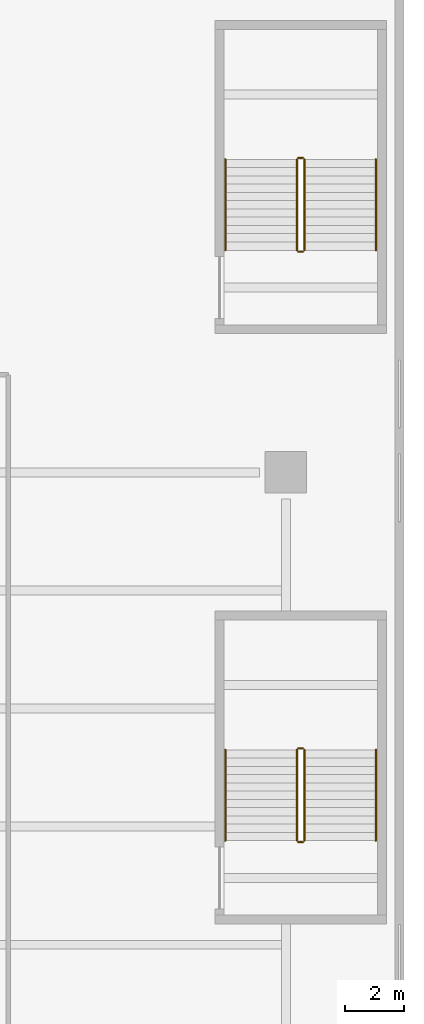
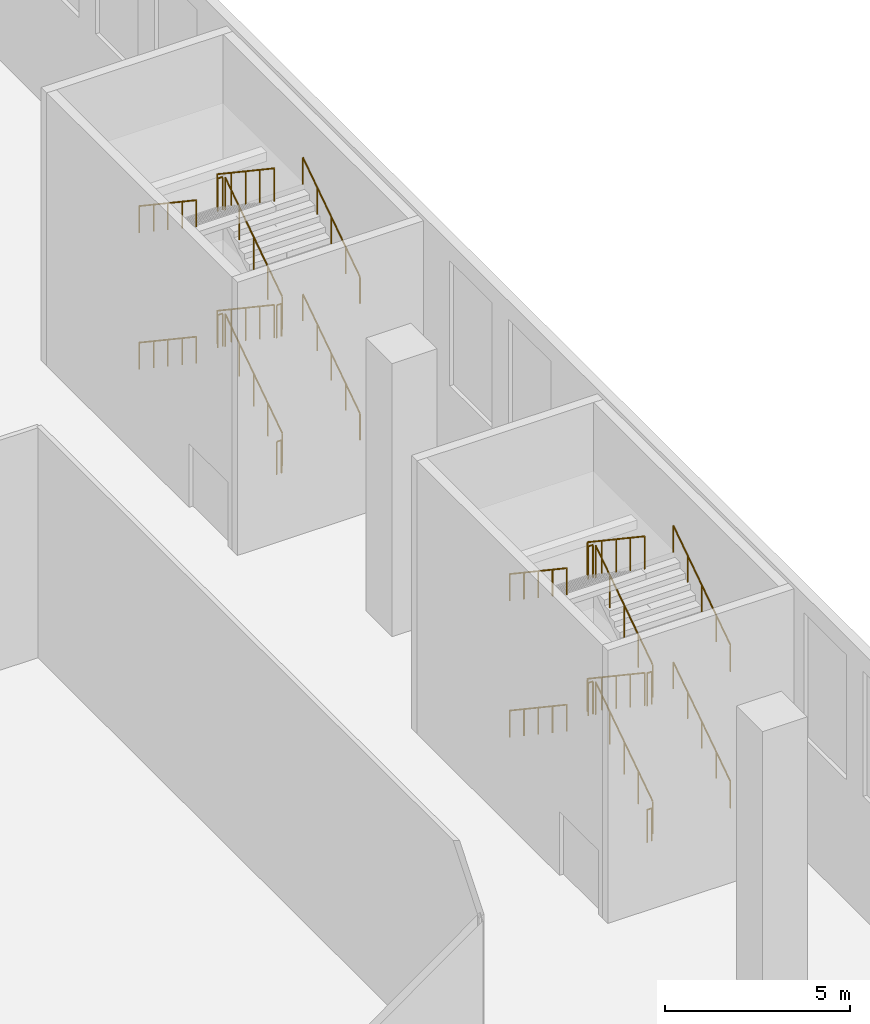
# One storey, part 24 of 27: 24 railings.
"""IFC4 building model written with IfcOpenShell, lengths in metres."""

import ifcopenshell
import ifcopenshell.guid

model = None  # the IFC model being written
_history = None  # IfcOwnerHistory: only IFC2X3 demands one
_inside = {}  # id of a spatial element -> (the spatial element, [elements in it])
_under = {}  # id of a project, library or spatial element -> (it, [spatial elements below it])
_declared = {}  # id of a project -> (the project, [libraries it declares])
_typed = {}  # id of a type object -> (the type object, [elements of that type])
_made_of = {}  # id of a material, layer set ... -> (it, [elements and type objects made of it])


def new_model(schema):
    """Start an empty IFC model of exactly this schema.

    Asked for "IFC4X3", IfcOpenShell would pick the latest addendum, in which some entities
    have other attributes; the version numbers below select the first issue.
    IFC2X3 requires an IfcOwnerHistory on every rooted entity: one is made here for all.
    """
    global model, _history
    if schema == "IFC4X3":
        model = ifcopenshell.file(schema_version=(4, 3, 0, 0))
    else:
        model = ifcopenshell.file(schema=schema)
    _inside.clear()
    _under.clear()
    _declared.clear()
    _typed.clear()
    _made_of.clear()
    _history = None
    if model.schema == "IFC2X3":
        org = make("IfcOrganization", Name="unknown")
        user = make(
            "IfcPersonAndOrganization",
            ThePerson=make("IfcPerson", FamilyName="unknown"),
            TheOrganization=org,
        )
        app = make(
            "IfcApplication",
            ApplicationDeveloper=org,
            Version="unknown",
            ApplicationFullName="unknown",
            ApplicationIdentifier="unknown",
        )
        _history = make(
            "IfcOwnerHistory",
            OwningUser=user,
            OwningApplication=app,
            ChangeAction="ADDED",
            CreationDate=0,
        )
    return model


def make(cls, **values):
    """One entity of the class cls with the attributes given. An attribute that is None is left unset."""
    return model.create_entity(
        cls, **{name: value for name, value in values.items() if value is not None}
    )


def rooted(cls, **values):
    """An entity with a GlobalId (a new one), such as an element, a storey or a relation."""
    return make(cls, GlobalId=ifcopenshell.guid.new(), OwnerHistory=_history, **values)


def si_unit(unit_type, name, prefix=None):
    """IfcSIUnit, for example si_unit("LENGTHUNIT", "METRE", prefix="MILLI")."""
    return make("IfcSIUnit", UnitType=unit_type, Prefix=prefix, Name=name)


def assignment(units):
    """IfcUnitAssignment: the units of a project."""
    return None if units is None else make("IfcUnitAssignment", Units=units)


def point(xyz):
    """IfcCartesianPoint."""
    return None if xyz is None else make("IfcCartesianPoint", Coordinates=xyz)


def direction(xyz):
    """IfcDirection."""
    return None if xyz is None else make("IfcDirection", DirectionRatios=xyz)


def frame(location, z_axis=None, x_axis=None):
    """IfcAxis2Placement3D, a coordinate frame: its origin and axes. An axis left out is left unset."""
    return make(
        "IfcAxis2Placement3D",
        Location=point(location),
        Axis=direction(z_axis),
        RefDirection=direction(x_axis),
    )


def frame_2d(location, x_axis=None):
    """IfcAxis2Placement2D, a coordinate frame in the plane: its origin and x axis."""
    return make(
        "IfcAxis2Placement2D", Location=point(location), RefDirection=direction(x_axis)
    )


def origin():
    """The frame at (0, 0, 0) with its axes left unset."""
    return frame((0.0, 0.0, 0.0))


def origin_2d():
    """The frame at (0, 0) in the plane with its x axis left unset."""
    return frame_2d((0.0, 0.0))


def place(relative_to, where):
    """IfcLocalPlacement: puts the frame where relative to a parent placement (None: the world)."""
    return make(
        "IfcLocalPlacement", PlacementRelTo=relative_to, RelativePlacement=where
    )


def context(
    kind, dimensions, precision=None, world=None, true_north=None, identifier=None
):
    """IfcGeometricRepresentationContext, for example the 3D "Model" context."""
    return make(
        "IfcGeometricRepresentationContext",
        ContextIdentifier=identifier,
        ContextType=kind,
        CoordinateSpaceDimension=dimensions,
        Precision=precision,
        WorldCoordinateSystem=world,
        TrueNorth=true_north,
    )


def subcontext(parent, identifier, kind, view, scale=None):
    """IfcGeometricRepresentationSubContext, for example "Body" below "Model"."""
    return make(
        "IfcGeometricRepresentationSubContext",
        ContextIdentifier=identifier,
        ContextType=kind,
        ParentContext=parent,
        TargetScale=scale,
        TargetView=view,
    )


def project(units=None, contexts=None):
    """IfcProject with its units and contexts."""
    return rooted(
        "IfcProject",
        Name="project",
        RepresentationContexts=contexts,
        UnitsInContext=assignment(units),
    )


def spatial(cls, under=None, at=None, **own):
    """A site, building, storey or space (cls), placed at a placement, below another one or the project."""
    s = rooted(cls, ObjectPlacement=at, **own)
    if under is not None:
        _under.setdefault(under.id(), (under, []))[1].append(s)
    return s


def profile(cls, at=None, kind="AREA", **sizes):
    """A parametric profile (cls). Its sizes go by their IFC names, for example OverallWidth=200.0."""
    return make(cls, ProfileType=kind, Position=at, **sizes)


def circle(**sizes):
    """IfcCircleProfileDef."""
    return profile("IfcCircleProfileDef", **sizes)


def extrude(swept, where, along, depth):
    """IfcExtrudedAreaSolid: the profile swept, set in the frame where, extruded along a direction by depth."""
    return make(
        "IfcExtrudedAreaSolid",
        SweptArea=swept,
        Position=where,
        ExtrudedDirection=direction(along),
        Depth=depth,
    )


def shape(context_of_items, identifier, shape_type, items):
    """IfcShapeRepresentation: the items that make up one representation, for example the "Body"."""
    return make(
        "IfcShapeRepresentation",
        ContextOfItems=context_of_items,
        RepresentationIdentifier=identifier,
        RepresentationType=shape_type,
        Items=items,
    )


def material(Name=None, Category=None):
    """IfcMaterial."""
    return make("IfcMaterial", Name=Name, Category=Category)


def made_of(thing, what):
    """Note that an element or type object is made of a material, layer set ...; save() writes the relation."""
    if what is not None:
        _made_of.setdefault(what.id(), (what, []))[1].append(thing)
    return thing


def type_object(cls, material=None, **own):
    """A type object (cls), such as IfcWallType, which elements share."""
    return made_of(rooted(cls, **own), material)


def element(
    cls,
    number,
    at=None,
    inside=None,
    cuts=None,
    type_object=None,
    material=None,
    context=None,
    identifier="Body",
    shape_type=None,
    held_by="IfcProductDefinitionShape",
    body=None,
    shapes=None,
    **own,
):
    """One element of the class cls, such as IfcWall. Its Tag is "e" and its number.

    at: its placement. inside: the storey or other place that contains it. cuts: it is an
    opening in that element (IfcRelVoidsElement). A single representation is given by context,
    identifier, shape_type and body (its items); several are given by shapes. held_by: the class
    of the entity that holds the representations. save() writes the other relations.
    """
    e = rooted(cls, Tag="e%d" % number, ObjectPlacement=at, **own)
    if body is not None:
        shapes = [shape(context, identifier, shape_type, body)]
    if shapes is not None:
        e.Representation = make(held_by, Representations=shapes)
    if inside is not None:
        _inside.setdefault(inside.id(), (inside, []))[1].append(e)
    if cuts is not None:
        rooted(
            "IfcRelVoidsElement", RelatingBuildingElement=cuts, RelatedOpeningElement=e
        )
    if type_object is not None:
        _typed.setdefault(type_object.id(), (type_object, []))[1].append(e)
    return made_of(e, material)


def aggregate(whole, parts):
    """IfcRelAggregates: a whole, such as a stair, and the parts it consists of."""
    return rooted("IfcRelAggregates", RelatingObject=whole, RelatedObjects=parts)


def save(model, path):
    """Write the relations noted so far, then the file.

    IfcRelAggregates (storeys below a building ...), IfcRelContainedInSpatialStructure (elements
    in a storey), IfcRelDefinesByType, IfcRelAssociatesMaterial and IfcRelDeclares: one each for
    every whole, place, type object, material and project.
    """
    for whole, parts in _under.values():
        aggregate(whole, parts)
    for where, things in _inside.values():
        rooted(
            "IfcRelContainedInSpatialStructure",
            RelatedElements=things,
            RelatingStructure=where,
        )
    for kind, things in _typed.values():
        rooted("IfcRelDefinesByType", RelatedObjects=things, RelatingType=kind)
    for what, things in _made_of.values():
        rooted("IfcRelAssociatesMaterial", RelatedObjects=things, RelatingMaterial=what)
    for by, libraries in _declared.values():
        rooted("IfcRelDeclares", RelatingContext=by, RelatedDefinitions=libraries)
    model.write(path)


model = new_model("IFC4")

# Units and contexts
model_context = context("Model", 3, precision=1e-05, world=origin(), true_north=direction((0.0, 1.0)))
body_context = subcontext(model_context, "Body", "Model", "MODEL_VIEW")
ifc_project = project(units=[si_unit("LENGTHUNIT", "METRE"), si_unit("AREAUNIT", "SQUARE_METRE"), si_unit("VOLUMEUNIT", "CUBIC_METRE"), si_unit("PLANEANGLEUNIT", "RADIAN"), si_unit("MASSUNIT", "GRAM", prefix="KILO")], contexts=[model_context])

# Site, building, storey
site_placement = place(None, origin())
site = spatial("IfcSite", under=ifc_project, at=site_placement, CompositionType="ELEMENT")
building_placement = place(site_placement, origin())
building = spatial("IfcBuilding", under=site, at=building_placement, Name="Tel Ilan Convention Tower", CompositionType="ELEMENT")
storey_placement = place(building_placement, frame((0.0, 0.0, 9.0)))
storey = spatial("IfcBuildingStorey", under=building, at=storey_placement, Name="L01", CompositionType="ELEMENT", Elevation=9.0)

# Railings
ifc_material_1 = material(Name="Stainless Steel Grade 316", Category="steel")
railing_type_1 = type_object("IfcRailingType", Name="Stainless Steel Stair Guard 1100 mm", PredefinedType="GUARDRAIL", material=ifc_material_1)
railing_1_placement = place(storey_placement, frame((46.625, -60.47509765625, 0.1875)))
element("IfcRailing", 1, at=railing_1_placement, inside=storey, type_object=railing_type_1, Name="L01 P6 stair guard 1", PredefinedType="GUARDRAIL", context=body_context, shape_type="SweptSolid", body=[
    extrude(circle(Radius=0.02392578125, at=origin_2d()), frame((0.0, 0.0, 1.076171875), z_axis=(0.0, 0.830913701846, 0.55640131208), x_axis=(-1.0, 0.0, 0.0)), (0.0, 0.0, 1.0), 3.706787109375),
    extrude(circle(Radius=0.02099609375, at=origin_2d()), origin(), (0.0, 0.0, 1.0), 1.052001953125),
    extrude(circle(Radius=0.02099609375, at=origin_2d()), frame((0.0, 0.77001953125, 0.515625)), (0.0, 0.0, 1.0), 1.052001953125),
    extrude(circle(Radius=0.02099609375, at=origin_2d()), frame((0.0, 1.5400390625, 1.03125)), (0.0, 0.0, 1.0), 1.052001953125),
    extrude(circle(Radius=0.02099609375, at=origin_2d()), frame((0.0, 2.31005859375, 1.546875)), (0.0, 0.0, 1.0), 1.052001953125),
    extrude(circle(Radius=0.02099609375, at=origin_2d()), frame((0.0, 3.080078125, 2.0625)), (0.0, 0.0, 1.0), 1.052001953125),
])
railing_2_placement = place(storey_placement, frame((46.574951171875, -57.344970703125, 2.25)))
element("IfcRailing", 2, at=railing_2_placement, inside=storey, type_object=railing_type_1, Name="L01 P6 stair guard 2", PredefinedType="GUARDRAIL", context=body_context, shape_type="SweptSolid", body=[
    extrude(circle(Radius=0.02392578125, at=origin_2d()), frame((0.0, 0.0, 1.076171875), z_axis=(-1.0, 0.0, 0.0), x_axis=(0.0, -1.0, 0.0)), (0.0, 0.0, 1.0), 0.14990234375),
    extrude(circle(Radius=0.02099609375, at=origin_2d()), origin(), (0.0, 0.0, 1.0), 1.052001953125),
    extrude(circle(Radius=0.02099609375, at=origin_2d()), frame((-0.14990234375, 0.0, 0.0)), (0.0, 0.0, 1.0), 1.052001953125),
])
railing_3_placement = place(storey_placement, frame((46.375, -57.39501953125, 2.4375)))
element("IfcRailing", 3, at=railing_3_placement, inside=storey, type_object=railing_type_1, Name="L01 P6 stair guard 3", PredefinedType="GUARDRAIL", context=body_context, shape_type="SweptSolid", body=[
    extrude(circle(Radius=0.02392578125, at=origin_2d()), frame((0.0, 0.0, 1.076171875), z_axis=(0.0, -0.830913701846, 0.55640131208), x_axis=(1.0, 0.0, 0.0)), (0.0, 0.0, 1.0), 3.706787109375),
    extrude(circle(Radius=0.02099609375, at=origin_2d()), origin(), (0.0, 0.0, 1.0), 1.052001953125),
    extrude(circle(Radius=0.02099609375, at=origin_2d()), frame((0.0, -0.77001953125, 0.515625)), (0.0, 0.0, 1.0), 1.052001953125),
    extrude(circle(Radius=0.02099609375, at=origin_2d()), frame((0.0, -1.5400390625, 1.03125)), (0.0, 0.0, 1.0), 1.052001953125),
    extrude(circle(Radius=0.02099609375, at=origin_2d()), frame((0.0, -2.31005859375, 1.546875)), (0.0, 0.0, 1.0), 1.052001953125),
    extrude(circle(Radius=0.02099609375, at=origin_2d()), frame((0.0, -3.080078125, 2.0625)), (0.0, 0.0, 1.0), 1.052001953125),
])
railing_4_placement = place(storey_placement, frame((46.574951171875, -60.52490234375, 4.5)))
element("IfcRailing", 4, at=railing_4_placement, inside=storey, type_object=railing_type_1, Name="L01 P6 stair guard 4", PredefinedType="GUARDRAIL", context=body_context, shape_type="SweptSolid", body=[
    extrude(circle(Radius=0.02392578125, at=origin_2d()), frame((0.0, 0.0, 1.076171875), z_axis=(-1.0, 0.0, 0.0), x_axis=(0.0, -1.0, 0.0)), (0.0, 0.0, 1.0), 0.14990234375),
    extrude(circle(Radius=0.02099609375, at=origin_2d()), origin(), (0.0, 0.0, 1.0), 1.052001953125),
    extrude(circle(Radius=0.02099609375, at=origin_2d()), frame((-0.14990234375, 0.0, 0.0)), (0.0, 0.0, 1.0), 1.052001953125),
])
railing_5_placement = place(storey_placement, frame((46.625, -60.47509765625, 4.6875)))
element("IfcRailing", 5, at=railing_5_placement, inside=storey, type_object=railing_type_1, Name="L01 P6 stair guard 5", PredefinedType="GUARDRAIL", context=body_context, shape_type="SweptSolid", body=[
    extrude(circle(Radius=0.02392578125, at=origin_2d()), frame((0.0, 0.0, 1.076171875), z_axis=(0.0, 0.830913701846, 0.55640131208), x_axis=(-1.0, 0.0, 0.0)), (0.0, 0.0, 1.0), 3.706787109375),
    extrude(circle(Radius=0.02099609375, at=origin_2d()), origin(), (0.0, 0.0, 1.0), 1.052001953125),
    extrude(circle(Radius=0.02099609375, at=origin_2d()), frame((0.0, 0.77001953125, 0.515625)), (0.0, 0.0, 1.0), 1.052001953125),
    extrude(circle(Radius=0.02099609375, at=origin_2d()), frame((0.0, 1.5400390625, 1.03125)), (0.0, 0.0, 1.0), 1.052001953125),
    extrude(circle(Radius=0.02099609375, at=origin_2d()), frame((0.0, 2.31005859375, 1.546875)), (0.0, 0.0, 1.0), 1.052001953125),
    extrude(circle(Radius=0.02099609375, at=origin_2d()), frame((0.0, 3.080078125, 2.0625)), (0.0, 0.0, 1.0), 1.052001953125),
])
railing_6_placement = place(storey_placement, frame((46.574951171875, -57.344970703125, 6.75)))
element("IfcRailing", 6, at=railing_6_placement, inside=storey, type_object=railing_type_1, Name="L01 P6 stair guard 6", PredefinedType="GUARDRAIL", context=body_context, shape_type="SweptSolid", body=[
    extrude(circle(Radius=0.02392578125, at=origin_2d()), frame((0.0, 0.0, 1.076171875), z_axis=(-1.0, 0.0, 0.0), x_axis=(0.0, -1.0, 0.0)), (0.0, 0.0, 1.0), 0.14990234375),
    extrude(circle(Radius=0.02099609375, at=origin_2d()), origin(), (0.0, 0.0, 1.0), 1.052001953125),
    extrude(circle(Radius=0.02099609375, at=origin_2d()), frame((-0.14990234375, 0.0, 0.0)), (0.0, 0.0, 1.0), 1.052001953125),
])
railing_7_placement = place(storey_placement, frame((46.375, -57.39501953125, 6.9375)))
element("IfcRailing", 7, at=railing_7_placement, inside=storey, type_object=railing_type_1, Name="L01 P6 stair guard 7", PredefinedType="GUARDRAIL", context=body_context, shape_type="SweptSolid", body=[
    extrude(circle(Radius=0.02392578125, at=origin_2d()), frame((0.0, 0.0, 1.076171875), z_axis=(0.0, -0.830913701846, 0.55640131208), x_axis=(1.0, 0.0, 0.0)), (0.0, 0.0, 1.0), 3.706787109375),
    extrude(circle(Radius=0.02099609375, at=origin_2d()), origin(), (0.0, 0.0, 1.0), 1.052001953125),
    extrude(circle(Radius=0.02099609375, at=origin_2d()), frame((0.0, -0.77001953125, 0.515625)), (0.0, 0.0, 1.0), 1.052001953125),
    extrude(circle(Radius=0.02099609375, at=origin_2d()), frame((0.0, -1.5400390625, 1.03125)), (0.0, 0.0, 1.0), 1.052001953125),
    extrude(circle(Radius=0.02099609375, at=origin_2d()), frame((0.0, -2.31005859375, 1.546875)), (0.0, 0.0, 1.0), 1.052001953125),
    extrude(circle(Radius=0.02099609375, at=origin_2d()), frame((0.0, -3.080078125, 2.0625)), (0.0, 0.0, 1.0), 1.052001953125),
])
railing_8_placement = place(storey_placement, frame((46.574951171875, -60.52490234375, 0.0)))
element("IfcRailing", 8, at=railing_8_placement, inside=storey, type_object=railing_type_1, Name="L01 P6 stair guard 8", PredefinedType="GUARDRAIL", context=body_context, shape_type="SweptSolid", body=[
    extrude(circle(Radius=0.02392578125, at=origin_2d()), frame((0.0, 0.0, 1.076171875), z_axis=(-1.0, 0.0, 0.0), x_axis=(0.0, -1.0, 0.0)), (0.0, 0.0, 1.0), 0.14990234375),
    extrude(circle(Radius=0.02099609375, at=origin_2d()), origin(), (0.0, 0.0, 1.0), 1.052001953125),
    extrude(circle(Radius=0.02099609375, at=origin_2d()), frame((-0.14990234375, 0.0, 0.0)), (0.0, 0.0, 1.0), 1.052001953125),
])
railing_9_placement = place(storey_placement, frame((46.625, -40.47509765625, 0.1875)))
element("IfcRailing", 9, at=railing_9_placement, inside=storey, type_object=railing_type_1, Name="L01 P8 stair guard 1", PredefinedType="GUARDRAIL", context=body_context, shape_type="SweptSolid", body=[
    extrude(circle(Radius=0.02392578125, at=origin_2d()), frame((0.0, 0.0, 1.076171875), z_axis=(0.0, 0.830913701846, 0.55640131208), x_axis=(-1.0, 0.0, 0.0)), (0.0, 0.0, 1.0), 3.706787109375),
    extrude(circle(Radius=0.02099609375, at=origin_2d()), origin(), (0.0, 0.0, 1.0), 1.052001953125),
    extrude(circle(Radius=0.02099609375, at=origin_2d()), frame((0.0, 0.77001953125, 0.515625)), (0.0, 0.0, 1.0), 1.052001953125),
    extrude(circle(Radius=0.02099609375, at=origin_2d()), frame((0.0, 1.5400390625, 1.03125)), (0.0, 0.0, 1.0), 1.052001953125),
    extrude(circle(Radius=0.02099609375, at=origin_2d()), frame((0.0, 2.31005859375, 1.546875)), (0.0, 0.0, 1.0), 1.052001953125),
    extrude(circle(Radius=0.02099609375, at=origin_2d()), frame((0.0, 3.080078125, 2.0625)), (0.0, 0.0, 1.0), 1.052001953125),
])
railing_10_placement = place(storey_placement, frame((46.574951171875, -37.344970703125, 2.25)))
element("IfcRailing", 10, at=railing_10_placement, inside=storey, type_object=railing_type_1, Name="L01 P8 stair guard 2", PredefinedType="GUARDRAIL", context=body_context, shape_type="SweptSolid", body=[
    extrude(circle(Radius=0.02392578125, at=origin_2d()), frame((0.0, 0.0, 1.076171875), z_axis=(-1.0, 0.0, 0.0), x_axis=(0.0, -1.0, 0.0)), (0.0, 0.0, 1.0), 0.14990234375),
    extrude(circle(Radius=0.02099609375, at=origin_2d()), origin(), (0.0, 0.0, 1.0), 1.052001953125),
    extrude(circle(Radius=0.02099609375, at=origin_2d()), frame((-0.14990234375, 0.0, 0.0)), (0.0, 0.0, 1.0), 1.052001953125),
])
railing_11_placement = place(storey_placement, frame((46.375, -37.39501953125, 2.4375)))
element("IfcRailing", 11, at=railing_11_placement, inside=storey, type_object=railing_type_1, Name="L01 P8 stair guard 3", PredefinedType="GUARDRAIL", context=body_context, shape_type="SweptSolid", body=[
    extrude(circle(Radius=0.02392578125, at=origin_2d()), frame((0.0, 0.0, 1.076171875), z_axis=(0.0, -0.830913701846, 0.55640131208), x_axis=(1.0, 0.0, 0.0)), (0.0, 0.0, 1.0), 3.706787109375),
    extrude(circle(Radius=0.02099609375, at=origin_2d()), origin(), (0.0, 0.0, 1.0), 1.052001953125),
    extrude(circle(Radius=0.02099609375, at=origin_2d()), frame((0.0, -0.77001953125, 0.515625)), (0.0, 0.0, 1.0), 1.052001953125),
    extrude(circle(Radius=0.02099609375, at=origin_2d()), frame((0.0, -1.5400390625, 1.03125)), (0.0, 0.0, 1.0), 1.052001953125),
    extrude(circle(Radius=0.02099609375, at=origin_2d()), frame((0.0, -2.31005859375, 1.546875)), (0.0, 0.0, 1.0), 1.052001953125),
    extrude(circle(Radius=0.02099609375, at=origin_2d()), frame((0.0, -3.080078125, 2.0625)), (0.0, 0.0, 1.0), 1.052001953125),
])
railing_12_placement = place(storey_placement, frame((46.574951171875, -40.52490234375, 4.5)))
element("IfcRailing", 12, at=railing_12_placement, inside=storey, type_object=railing_type_1, Name="L01 P8 stair guard 4", PredefinedType="GUARDRAIL", context=body_context, shape_type="SweptSolid", body=[
    extrude(circle(Radius=0.02392578125, at=origin_2d()), frame((0.0, 0.0, 1.076171875), z_axis=(-1.0, 0.0, 0.0), x_axis=(0.0, -1.0, 0.0)), (0.0, 0.0, 1.0), 0.14990234375),
    extrude(circle(Radius=0.02099609375, at=origin_2d()), origin(), (0.0, 0.0, 1.0), 1.052001953125),
    extrude(circle(Radius=0.02099609375, at=origin_2d()), frame((-0.14990234375, 0.0, 0.0)), (0.0, 0.0, 1.0), 1.052001953125),
])
railing_13_placement = place(storey_placement, frame((46.625, -40.47509765625, 4.6875)))
element("IfcRailing", 13, at=railing_13_placement, inside=storey, type_object=railing_type_1, Name="L01 P8 stair guard 5", PredefinedType="GUARDRAIL", context=body_context, shape_type="SweptSolid", body=[
    extrude(circle(Radius=0.02392578125, at=origin_2d()), frame((0.0, 0.0, 1.076171875), z_axis=(0.0, 0.830913701846, 0.55640131208), x_axis=(-1.0, 0.0, 0.0)), (0.0, 0.0, 1.0), 3.706787109375),
    extrude(circle(Radius=0.02099609375, at=origin_2d()), origin(), (0.0, 0.0, 1.0), 1.052001953125),
    extrude(circle(Radius=0.02099609375, at=origin_2d()), frame((0.0, 0.77001953125, 0.515625)), (0.0, 0.0, 1.0), 1.052001953125),
    extrude(circle(Radius=0.02099609375, at=origin_2d()), frame((0.0, 1.5400390625, 1.03125)), (0.0, 0.0, 1.0), 1.052001953125),
    extrude(circle(Radius=0.02099609375, at=origin_2d()), frame((0.0, 2.31005859375, 1.546875)), (0.0, 0.0, 1.0), 1.052001953125),
    extrude(circle(Radius=0.02099609375, at=origin_2d()), frame((0.0, 3.080078125, 2.0625)), (0.0, 0.0, 1.0), 1.052001953125),
])
railing_14_placement = place(storey_placement, frame((46.574951171875, -37.344970703125, 6.75)))
element("IfcRailing", 14, at=railing_14_placement, inside=storey, type_object=railing_type_1, Name="L01 P8 stair guard 6", PredefinedType="GUARDRAIL", context=body_context, shape_type="SweptSolid", body=[
    extrude(circle(Radius=0.02392578125, at=origin_2d()), frame((0.0, 0.0, 1.076171875), z_axis=(-1.0, 0.0, 0.0), x_axis=(0.0, -1.0, 0.0)), (0.0, 0.0, 1.0), 0.14990234375),
    extrude(circle(Radius=0.02099609375, at=origin_2d()), origin(), (0.0, 0.0, 1.0), 1.052001953125),
    extrude(circle(Radius=0.02099609375, at=origin_2d()), frame((-0.14990234375, 0.0, 0.0)), (0.0, 0.0, 1.0), 1.052001953125),
])
railing_15_placement = place(storey_placement, frame((46.375, -37.39501953125, 6.9375)))
element("IfcRailing", 15, at=railing_15_placement, inside=storey, type_object=railing_type_1, Name="L01 P8 stair guard 7", PredefinedType="GUARDRAIL", context=body_context, shape_type="SweptSolid", body=[
    extrude(circle(Radius=0.02392578125, at=origin_2d()), frame((0.0, 0.0, 1.076171875), z_axis=(0.0, -0.830913701846, 0.55640131208), x_axis=(1.0, 0.0, 0.0)), (0.0, 0.0, 1.0), 3.706787109375),
    extrude(circle(Radius=0.02099609375, at=origin_2d()), origin(), (0.0, 0.0, 1.0), 1.052001953125),
    extrude(circle(Radius=0.02099609375, at=origin_2d()), frame((0.0, -0.77001953125, 0.515625)), (0.0, 0.0, 1.0), 1.052001953125),
    extrude(circle(Radius=0.02099609375, at=origin_2d()), frame((0.0, -1.5400390625, 1.03125)), (0.0, 0.0, 1.0), 1.052001953125),
    extrude(circle(Radius=0.02099609375, at=origin_2d()), frame((0.0, -2.31005859375, 1.546875)), (0.0, 0.0, 1.0), 1.052001953125),
    extrude(circle(Radius=0.02099609375, at=origin_2d()), frame((0.0, -3.080078125, 2.0625)), (0.0, 0.0, 1.0), 1.052001953125),
])
railing_16_placement = place(storey_placement, frame((46.574951171875, -40.52490234375, 0.0)))
element("IfcRailing", 16, at=railing_16_placement, inside=storey, type_object=railing_type_1, Name="L01 P8 stair guard 8", PredefinedType="GUARDRAIL", context=body_context, shape_type="SweptSolid", body=[
    extrude(circle(Radius=0.02392578125, at=origin_2d()), frame((0.0, 0.0, 1.076171875), z_axis=(-1.0, 0.0, 0.0), x_axis=(0.0, -1.0, 0.0)), (0.0, 0.0, 1.0), 0.14990234375),
    extrude(circle(Radius=0.02099609375, at=origin_2d()), origin(), (0.0, 0.0, 1.0), 1.052001953125),
    extrude(circle(Radius=0.02099609375, at=origin_2d()), frame((-0.14990234375, 0.0, 0.0)), (0.0, 0.0, 1.0), 1.052001953125),
])
ifc_material_2 = material(Name="Stainless Steel Grade 316", Category="steel")
railing_type_2 = type_object("IfcRailingType", Name="Stainless Steel Stair Handrail 900 mm", PredefinedType="HANDRAIL", material=ifc_material_2)
railing_17_placement = place(storey_placement, frame((49.050048828125, -60.47509765625, 0.1875)))
element("IfcRailing", 17, at=railing_17_placement, inside=storey, type_object=railing_type_2, Name="L01 P6 stair handrail 1", PredefinedType="HANDRAIL", context=body_context, shape_type="SweptSolid", body=[
    extrude(circle(Radius=0.02392578125, at=origin_2d()), frame((0.0, 0.0, 0.8759765625), z_axis=(0.0, 0.830913701846, 0.55640131208), x_axis=(-1.0, 0.0, 0.0)), (0.0, 0.0, 1.0), 3.706787109375),
    extrude(circle(Radius=0.02099609375, at=origin_2d()), origin(), (0.0, 0.0, 1.0), 0.851806640625),
    extrude(circle(Radius=0.02099609375, at=origin_2d()), frame((0.0, 0.77001953125, 0.515625)), (0.0, 0.0, 1.0), 0.851806640625),
    extrude(circle(Radius=0.02099609375, at=origin_2d()), frame((0.0, 1.5400390625, 1.03125)), (0.0, 0.0, 1.0), 0.851806640625),
    extrude(circle(Radius=0.02099609375, at=origin_2d()), frame((0.0, 2.31005859375, 1.546875)), (0.0, 0.0, 1.0), 0.851806640625),
    extrude(circle(Radius=0.02099609375, at=origin_2d()), frame((0.0, 3.080078125, 2.0625)), (0.0, 0.0, 1.0), 0.851806640625),
])
railing_18_placement = place(storey_placement, frame((43.949951171875, -57.39501953125, 2.4375)))
element("IfcRailing", 18, at=railing_18_placement, inside=storey, type_object=railing_type_2, Name="L01 P6 stair handrail 2", PredefinedType="HANDRAIL", context=body_context, shape_type="SweptSolid", body=[
    extrude(circle(Radius=0.02392578125, at=origin_2d()), frame((0.0, 0.0, 0.8759765625), z_axis=(0.0, -0.830913701846, 0.55640131208), x_axis=(1.0, 0.0, 0.0)), (0.0, 0.0, 1.0), 3.706787109375),
    extrude(circle(Radius=0.02099609375, at=origin_2d()), origin(), (0.0, 0.0, 1.0), 0.851806640625),
    extrude(circle(Radius=0.02099609375, at=origin_2d()), frame((0.0, -0.77001953125, 0.515625)), (0.0, 0.0, 1.0), 0.851806640625),
    extrude(circle(Radius=0.02099609375, at=origin_2d()), frame((0.0, -1.5400390625, 1.03125)), (0.0, 0.0, 1.0), 0.851806640625),
    extrude(circle(Radius=0.02099609375, at=origin_2d()), frame((0.0, -2.31005859375, 1.546875)), (0.0, 0.0, 1.0), 0.851806640625),
    extrude(circle(Radius=0.02099609375, at=origin_2d()), frame((0.0, -3.080078125, 2.0625)), (0.0, 0.0, 1.0), 0.851806640625),
])
railing_19_placement = place(storey_placement, frame((49.050048828125, -60.47509765625, 4.6875)))
element("IfcRailing", 19, at=railing_19_placement, inside=storey, type_object=railing_type_2, Name="L01 P6 stair handrail 3", PredefinedType="HANDRAIL", context=body_context, shape_type="SweptSolid", body=[
    extrude(circle(Radius=0.02392578125, at=origin_2d()), frame((0.0, 0.0, 0.8759765625), z_axis=(0.0, 0.830913701846, 0.55640131208), x_axis=(-1.0, 0.0, 0.0)), (0.0, 0.0, 1.0), 3.706787109375),
    extrude(circle(Radius=0.02099609375, at=origin_2d()), origin(), (0.0, 0.0, 1.0), 0.851806640625),
    extrude(circle(Radius=0.02099609375, at=origin_2d()), frame((0.0, 0.77001953125, 0.515625)), (0.0, 0.0, 1.0), 0.851806640625),
    extrude(circle(Radius=0.02099609375, at=origin_2d()), frame((0.0, 1.5400390625, 1.03125)), (0.0, 0.0, 1.0), 0.851806640625),
    extrude(circle(Radius=0.02099609375, at=origin_2d()), frame((0.0, 2.31005859375, 1.546875)), (0.0, 0.0, 1.0), 0.851806640625),
    extrude(circle(Radius=0.02099609375, at=origin_2d()), frame((0.0, 3.080078125, 2.0625)), (0.0, 0.0, 1.0), 0.851806640625),
])
railing_20_placement = place(storey_placement, frame((43.949951171875, -57.39501953125, 6.9375)))
element("IfcRailing", 20, at=railing_20_placement, inside=storey, type_object=railing_type_2, Name="L01 P6 stair handrail 4", PredefinedType="HANDRAIL", context=body_context, shape_type="SweptSolid", body=[
    extrude(circle(Radius=0.02392578125, at=origin_2d()), frame((0.0, 0.0, 0.8759765625), z_axis=(0.0, -0.830913701846, 0.55640131208), x_axis=(1.0, 0.0, 0.0)), (0.0, 0.0, 1.0), 3.706787109375),
    extrude(circle(Radius=0.02099609375, at=origin_2d()), origin(), (0.0, 0.0, 1.0), 0.851806640625),
    extrude(circle(Radius=0.02099609375, at=origin_2d()), frame((0.0, -0.77001953125, 0.515625)), (0.0, 0.0, 1.0), 0.851806640625),
    extrude(circle(Radius=0.02099609375, at=origin_2d()), frame((0.0, -1.5400390625, 1.03125)), (0.0, 0.0, 1.0), 0.851806640625),
    extrude(circle(Radius=0.02099609375, at=origin_2d()), frame((0.0, -2.31005859375, 1.546875)), (0.0, 0.0, 1.0), 0.851806640625),
    extrude(circle(Radius=0.02099609375, at=origin_2d()), frame((0.0, -3.080078125, 2.0625)), (0.0, 0.0, 1.0), 0.851806640625),
])
railing_21_placement = place(storey_placement, frame((49.050048828125, -40.47509765625, 0.1875)))
element("IfcRailing", 21, at=railing_21_placement, inside=storey, type_object=railing_type_2, Name="L01 P8 stair handrail 1", PredefinedType="HANDRAIL", context=body_context, shape_type="SweptSolid", body=[
    extrude(circle(Radius=0.02392578125, at=origin_2d()), frame((0.0, 0.0, 0.8759765625), z_axis=(0.0, 0.830913701846, 0.55640131208), x_axis=(-1.0, 0.0, 0.0)), (0.0, 0.0, 1.0), 3.706787109375),
    extrude(circle(Radius=0.02099609375, at=origin_2d()), origin(), (0.0, 0.0, 1.0), 0.851806640625),
    extrude(circle(Radius=0.02099609375, at=origin_2d()), frame((0.0, 0.77001953125, 0.515625)), (0.0, 0.0, 1.0), 0.851806640625),
    extrude(circle(Radius=0.02099609375, at=origin_2d()), frame((0.0, 1.5400390625, 1.03125)), (0.0, 0.0, 1.0), 0.851806640625),
    extrude(circle(Radius=0.02099609375, at=origin_2d()), frame((0.0, 2.31005859375, 1.546875)), (0.0, 0.0, 1.0), 0.851806640625),
    extrude(circle(Radius=0.02099609375, at=origin_2d()), frame((0.0, 3.080078125, 2.0625)), (0.0, 0.0, 1.0), 0.851806640625),
])
railing_22_placement = place(storey_placement, frame((43.949951171875, -37.39501953125, 2.4375)))
element("IfcRailing", 22, at=railing_22_placement, inside=storey, type_object=railing_type_2, Name="L01 P8 stair handrail 2", PredefinedType="HANDRAIL", context=body_context, shape_type="SweptSolid", body=[
    extrude(circle(Radius=0.02392578125, at=origin_2d()), frame((0.0, 0.0, 0.8759765625), z_axis=(0.0, -0.830913701846, 0.55640131208), x_axis=(1.0, 0.0, 0.0)), (0.0, 0.0, 1.0), 3.706787109375),
    extrude(circle(Radius=0.02099609375, at=origin_2d()), origin(), (0.0, 0.0, 1.0), 0.851806640625),
    extrude(circle(Radius=0.02099609375, at=origin_2d()), frame((0.0, -0.77001953125, 0.515625)), (0.0, 0.0, 1.0), 0.851806640625),
    extrude(circle(Radius=0.02099609375, at=origin_2d()), frame((0.0, -1.5400390625, 1.03125)), (0.0, 0.0, 1.0), 0.851806640625),
    extrude(circle(Radius=0.02099609375, at=origin_2d()), frame((0.0, -2.31005859375, 1.546875)), (0.0, 0.0, 1.0), 0.851806640625),
    extrude(circle(Radius=0.02099609375, at=origin_2d()), frame((0.0, -3.080078125, 2.0625)), (0.0, 0.0, 1.0), 0.851806640625),
])
railing_23_placement = place(storey_placement, frame((49.050048828125, -40.47509765625, 4.6875)))
element("IfcRailing", 23, at=railing_23_placement, inside=storey, type_object=railing_type_2, Name="L01 P8 stair handrail 3", PredefinedType="HANDRAIL", context=body_context, shape_type="SweptSolid", body=[
    extrude(circle(Radius=0.02392578125, at=origin_2d()), frame((0.0, 0.0, 0.8759765625), z_axis=(0.0, 0.830913701846, 0.55640131208), x_axis=(-1.0, 0.0, 0.0)), (0.0, 0.0, 1.0), 3.706787109375),
    extrude(circle(Radius=0.02099609375, at=origin_2d()), origin(), (0.0, 0.0, 1.0), 0.851806640625),
    extrude(circle(Radius=0.02099609375, at=origin_2d()), frame((0.0, 0.77001953125, 0.515625)), (0.0, 0.0, 1.0), 0.851806640625),
    extrude(circle(Radius=0.02099609375, at=origin_2d()), frame((0.0, 1.5400390625, 1.03125)), (0.0, 0.0, 1.0), 0.851806640625),
    extrude(circle(Radius=0.02099609375, at=origin_2d()), frame((0.0, 2.31005859375, 1.546875)), (0.0, 0.0, 1.0), 0.851806640625),
    extrude(circle(Radius=0.02099609375, at=origin_2d()), frame((0.0, 3.080078125, 2.0625)), (0.0, 0.0, 1.0), 0.851806640625),
])
railing_24_placement = place(storey_placement, frame((43.949951171875, -37.39501953125, 6.9375)))
element("IfcRailing", 24, at=railing_24_placement, inside=storey, type_object=railing_type_2, Name="L01 P8 stair handrail 4", PredefinedType="HANDRAIL", context=body_context, shape_type="SweptSolid", body=[
    extrude(circle(Radius=0.02392578125, at=origin_2d()), frame((0.0, 0.0, 0.8759765625), z_axis=(0.0, -0.830913701846, 0.55640131208), x_axis=(1.0, 0.0, 0.0)), (0.0, 0.0, 1.0), 3.706787109375),
    extrude(circle(Radius=0.02099609375, at=origin_2d()), origin(), (0.0, 0.0, 1.0), 0.851806640625),
    extrude(circle(Radius=0.02099609375, at=origin_2d()), frame((0.0, -0.77001953125, 0.515625)), (0.0, 0.0, 1.0), 0.851806640625),
    extrude(circle(Radius=0.02099609375, at=origin_2d()), frame((0.0, -1.5400390625, 1.03125)), (0.0, 0.0, 1.0), 0.851806640625),
    extrude(circle(Radius=0.02099609375, at=origin_2d()), frame((0.0, -2.31005859375, 1.546875)), (0.0, 0.0, 1.0), 0.851806640625),
    extrude(circle(Radius=0.02099609375, at=origin_2d()), frame((0.0, -3.080078125, 2.0625)), (0.0, 0.0, 1.0), 0.851806640625),
])

save(model, "model.ifc")
